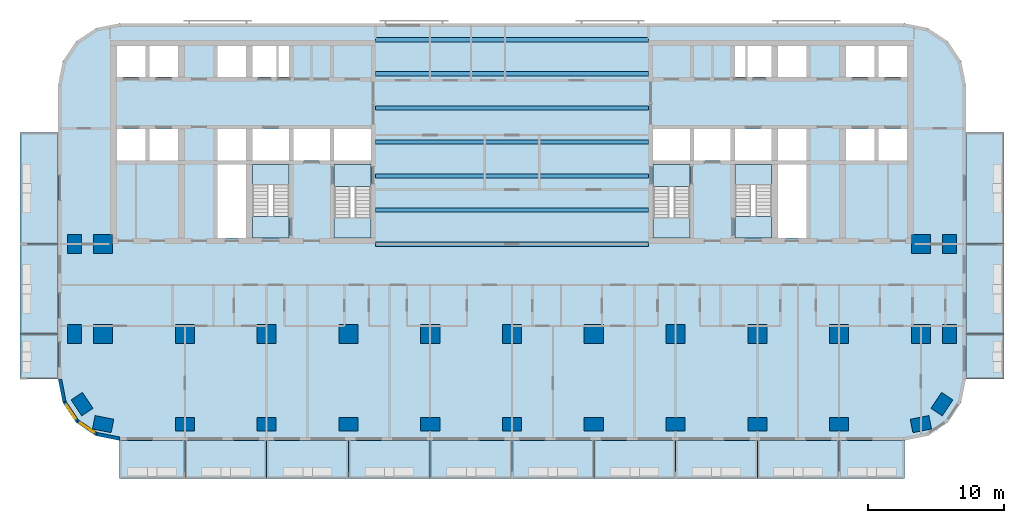
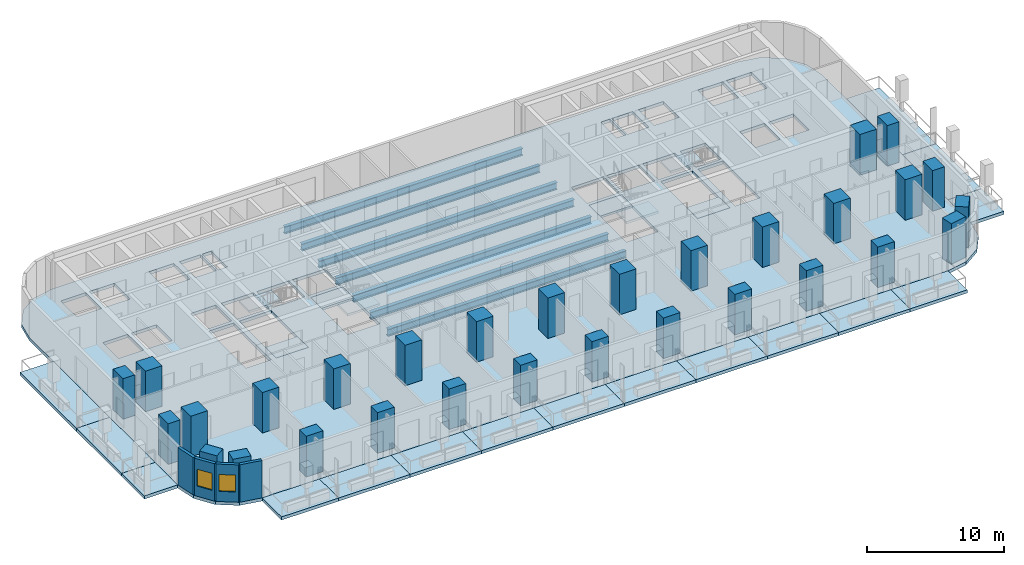
# One storey, part 1 of 14: 30 columns, 25 slabs, 7 beams, 4 walls, 2 windows, 2 openings, 4 elements without a shape of their own.
"""IFC4 building model written with IfcOpenShell, lengths in metres."""

from ifc_helpers import new_model, si_unit, direction, frame, frame_2d, origin, origin_2d, place, context, subcontext, project, spatial, polyline, rectangle, i_section, outline, extrude, material, layer, layer_set, material_profile, profile_set, type_object, element, fill, aggregate, save


model = new_model("IFC4")

# Units and contexts
model_context = context("Model", 3, precision=1e-05, world=origin(), true_north=direction((0.0, 1.0)))
body_context = subcontext(model_context, "Body", "Model", "MODEL_VIEW")
ifc_project = project(units=[si_unit("LENGTHUNIT", "METRE"), si_unit("AREAUNIT", "SQUARE_METRE"), si_unit("VOLUMEUNIT", "CUBIC_METRE"), si_unit("PLANEANGLEUNIT", "RADIAN"), si_unit("MASSUNIT", "GRAM", prefix="KILO")], contexts=[model_context])

# Site, building, storey
site_placement = place(None, origin())
site = spatial("IfcSite", under=ifc_project, at=site_placement, CompositionType="ELEMENT")
building_placement = place(site_placement, origin())
building = spatial("IfcBuilding", under=site, at=building_placement, Name="Torana Hotel and Residences", CompositionType="ELEMENT")
storey_placement = place(building_placement, frame((0.0, 0.0, 74.39990234375)))
storey = spatial("IfcBuildingStorey", under=building, at=storey_placement, Name="L18", CompositionType="ELEMENT", Elevation=74.39990234375)

# Columns
ifc_material_1 = material(Name="Concrete C70/85", Category="concrete")
ifc_material_profile_1 = material_profile(ifc_material_1, rectangle(XDim=1.39990234375, YDim=1.0, at=origin_2d()), Name="RC 1400x1000")
ifc_profile_set_1 = profile_set([ifc_material_profile_1], Name="Concrete C70/85")
column_type_1 = type_object("IfcColumnType", Name="COLUMN RC 1400x1000 C70/85", PredefinedType="COLUMN", material=ifc_profile_set_1)
for number, where, z_axis, x_axis, name in (
    (1, (-32.10009765625, -21.60009765625, 0.0), (0.0, 0.0, 1.0), (0.0, 1.0, 0.0), "Column L18"),
    (2, (-32.10009765625, -15.0, 0.0), (0.0, 0.0, 1.0), (0.0, 1.0, 0.0), "Column L18"),
    (3, (-31.5439453125, -26.73291015625, 0.0), (0.0, 0.0, 1.0), (-0.555584744817, 0.831459915646, 0.0), "Column L18"),
    (4, (-30.0, -28.199951171875, 0.0), (0.0, 0.0, 1.0), (-0.980792089743, 0.195056086032, 0.0), "Column L18"),
    (5, (-24.0, -28.199951171875, 0.0), (0.0, 0.0, 1.0), (1.0, 0.0, 0.0), "Column L18"),
    (6, (-18.0, -28.199951171875, 0.0), (0.0, 0.0, 1.0), (1.0, 0.0, 0.0), "Column L18"),
    (7, (-12.0, -28.199951171875, 0.0), (0.0, 0.0, 1.0), (1.0, 0.0, 0.0), "Column L18"),
    (8, (-6.0, -28.199951171875, 0.0), (0.0, 0.0, 1.0), (1.0, 0.0, 0.0), "Column L18"),
    (9, (0.0, -28.199951171875, 0.0), (0.0, 0.0, 1.0), (1.0, 0.0, 0.0), "Column L18"),
    (10, (6.0, -28.199951171875, 0.0), (0.0, 0.0, 1.0), (1.0, 0.0, 0.0), "Column L18"),
    (11, (12.0, -28.199951171875, 0.0), (0.0, 0.0, 1.0), (1.0, 0.0, 0.0), "Column L18"),
    (12, (18.0, -28.199951171875, 0.0), (0.0, 0.0, 1.0), (1.0, 0.0, 0.0), "Column L18"),
    (13, (24.0, -28.199951171875, 0.0), (0.0, 0.0, 1.0), (1.0, 0.0, 0.0), "Column L18"),
    (14, (30.0, -28.199951171875, 0.0), (0.0, 0.0, 1.0), (0.980792089743, 0.195056086032, 0.0), "Column L18"),
    (15, (31.5439453125, -26.73291015625, 0.0), (0.0, 0.0, 1.0), (0.555584744817, 0.831459915646, 0.0), "Column L18"),
    (16, (32.10009765625, -21.60009765625, 0.0), (0.0, 0.0, 1.0), (0.0, 1.0, 0.0), "Column L18"),
    (17, (32.10009765625, -15.0, 0.0), (0.0, 0.0, 1.0), (0.0, 1.0, 0.0), "Column L18"),
):
    element("IfcColumn", number, at=place(storey_placement, frame(where, z_axis=z_axis, x_axis=x_axis)), inside=storey, type_object=column_type_1, Name=name, PredefinedType="COLUMN", context=body_context, shape_type="SweptSolid", body=[
        extrude(rectangle(XDim=1.39990234375, YDim=1.0, at=origin_2d()), origin(), (0.0, 0.0, 1.0), 3.60009765625),
    ])
ifc_material_2 = material(Name="Concrete C70/85", Category="concrete")
ifc_material_profile_2 = material_profile(ifc_material_2, rectangle(XDim=1.39990234375, YDim=1.39990234375, at=origin_2d()), Name="RC 1400x1400")
ifc_profile_set_2 = profile_set([ifc_material_profile_2], Name="Concrete C70/85")
column_type_2 = type_object("IfcColumnType", Name="COLUMN RC 1400x1400 C70/85", PredefinedType="COLUMN", material=ifc_profile_set_2)
for number, where, z_axis, x_axis, name in (
    (18, (-30.0, -21.60009765625, 0.0), (0.0, 0.0, 1.0), (1.0, 0.0, 0.0), "Column L18"),
    (19, (-30.0, -15.0, 0.0), (0.0, 0.0, 1.0), (1.0, 0.0, 0.0), "Column L18"),
    (20, (-24.0, -21.60009765625, 0.0), (0.0, 0.0, 1.0), (1.0, 0.0, 0.0), "Column L18"),
    (21, (-18.0, -21.60009765625, 0.0), (0.0, 0.0, 1.0), (1.0, 0.0, 0.0), "Column L18"),
    (22, (-12.0, -21.60009765625, 0.0), (0.0, 0.0, 1.0), (1.0, 0.0, 0.0), "Column L18"),
    (23, (-6.0, -21.60009765625, 0.0), (0.0, 0.0, 1.0), (1.0, 0.0, 0.0), "Column L18"),
    (24, (0.0, -21.60009765625, 0.0), (0.0, 0.0, 1.0), (1.0, 0.0, 0.0), "Column L18"),
    (25, (6.0, -21.60009765625, 0.0), (0.0, 0.0, 1.0), (1.0, 0.0, 0.0), "Column L18"),
    (26, (12.0, -21.60009765625, 0.0), (0.0, 0.0, 1.0), (1.0, 0.0, 0.0), "Column L18"),
    (27, (18.0, -21.60009765625, 0.0), (0.0, 0.0, 1.0), (1.0, 0.0, 0.0), "Column L18"),
    (28, (24.0, -21.60009765625, 0.0), (0.0, 0.0, 1.0), (1.0, 0.0, 0.0), "Column L18"),
    (29, (30.0, -21.60009765625, 0.0), (0.0, 0.0, 1.0), (1.0, 0.0, 0.0), "Column L18"),
    (30, (30.0, -15.0, 0.0), (0.0, 0.0, 1.0), (1.0, 0.0, 0.0), "Column L18"),
):
    element("IfcColumn", number, at=place(storey_placement, frame(where, z_axis=z_axis, x_axis=x_axis)), inside=storey, type_object=column_type_2, Name=name, PredefinedType="COLUMN", context=body_context, shape_type="SweptSolid", body=[
        extrude(rectangle(XDim=1.39990234375, YDim=1.39990234375, at=origin_2d()), origin(), (0.0, 0.0, 1.0), 3.60009765625),
    ])

# Beams
ifc_material_3 = material(Name="Steel S355", Category="steel")
ifc_material_profile_3 = material_profile(ifc_material_3, i_section(OverallWidth=0.311279296875, OverallDepth=0.6357421875, WebThickness=0.018310546875, FlangeThickness=0.031494140625, FilletRadius=0.0166015625, at=origin_2d()), Name="610x305x238 UB")
ifc_profile_set_3 = profile_set([ifc_material_profile_3], Name="Steel S355")
beam_type = type_object("IfcBeamType", Name="STEEL GIRDER 610x305x238 UB", PredefinedType="BEAM", material=ifc_profile_set_3)
for number, where, z_axis, x_axis, name in (
    (31, (-10.0, -15.0, -0.597900390625), (1.0, 0.0, 0.0), (0.0, 1.0, 0.0), "Floor girder"),
    (32, (-10.0, -12.5, -0.597900390625), (1.0, 0.0, 0.0), (0.0, 1.0, 0.0), "Floor girder"),
    (33, (-10.0, -10.0, -0.597900390625), (1.0, 0.0, 0.0), (0.0, 1.0, 0.0), "Floor girder"),
    (34, (-10.0, -7.5, -0.597900390625), (1.0, 0.0, 0.0), (0.0, 1.0, 0.0), "Floor girder"),
    (35, (-10.0, -5.0, -0.597900390625), (1.0, 0.0, 0.0), (0.0, 1.0, 0.0), "Floor girder"),
    (36, (-10.0, -2.5, -0.597900390625), (1.0, 0.0, 0.0), (0.0, 1.0, 0.0), "Floor girder"),
    (37, (-10.0, 0.0, -0.597900390625), (1.0, 0.0, 0.0), (0.0, 1.0, 0.0), "Floor girder"),
):
    element("IfcBeam", number, at=place(storey_placement, frame(where, z_axis=z_axis, x_axis=x_axis)), inside=storey, type_object=beam_type, Name=name, PredefinedType="BEAM", context=body_context, shape_type="SweptSolid", body=[
        extrude(i_section(OverallWidth=0.311279296875, OverallDepth=0.6357421875, WebThickness=0.018310546875, FlangeThickness=0.031494140625, FilletRadius=0.0166015625, at=origin_2d()), origin(), (0.0, 0.0, 1.0), 20.0),
    ])

# Slabs
ifc_material_4 = material(Name="Concrete C40/50", Category="concrete")
ifc_layer_1 = layer(ifc_material_4, 0.280029296875)
ifc_layer_set_1 = layer_set([ifc_layer_1], Name="BAL1 BALCONY SLAB 280")
slab_type_1 = type_object("IfcSlabType", Name="BAL1 BALCONY SLAB 280", PredefinedType="USERDEFINED", material=ifc_layer_set_1)
slab_1_placement = place(storey_placement, frame((0.0, 0.0, -0.27978515625)))
element("IfcSlab", 38, at=slab_1_placement, inside=storey, type_object=slab_type_1, Name="Balcony 01", ObjectType="BALCONY", PredefinedType="USERDEFINED", context=body_context, shape_type="SweptSolid", body=[
    extrude(outline(polyline([(-28.800048828125, -32.199951171875), (-24.0, -32.199951171875), (-24.0, -29.39990234375), (-28.800048828125, -29.39990234375), (-28.800048828125, -32.199951171875)])), origin(), (0.0, 0.0, 1.0), 0.27978515625),
])
slab_2_placement = place(storey_placement, frame((0.0, 0.0, -0.27978515625)))
element("IfcSlab", 39, at=slab_2_placement, inside=storey, type_object=slab_type_1, Name="Balcony 02", ObjectType="BALCONY", PredefinedType="USERDEFINED", context=body_context, shape_type="SweptSolid", body=[
    extrude(outline(polyline([(-24.0, -32.199951171875), (-18.0, -32.199951171875), (-18.0, -29.39990234375), (-24.0, -29.39990234375), (-24.0, -32.199951171875)])), origin(), (0.0, 0.0, 1.0), 0.27978515625),
])
slab_3_placement = place(storey_placement, frame((0.0, 0.0, -0.27978515625)))
element("IfcSlab", 40, at=slab_3_placement, inside=storey, type_object=slab_type_1, Name="Balcony 03", ObjectType="BALCONY", PredefinedType="USERDEFINED", context=body_context, shape_type="SweptSolid", body=[
    extrude(outline(polyline([(-18.0, -32.199951171875), (-12.0, -32.199951171875), (-12.0, -29.39990234375), (-18.0, -29.39990234375), (-18.0, -32.199951171875)])), origin(), (0.0, 0.0, 1.0), 0.27978515625),
])
slab_4_placement = place(storey_placement, frame((0.0, 0.0, -0.27978515625)))
element("IfcSlab", 41, at=slab_4_placement, inside=storey, type_object=slab_type_1, Name="Balcony 04", ObjectType="BALCONY", PredefinedType="USERDEFINED", context=body_context, shape_type="SweptSolid", body=[
    extrude(outline(polyline([(-12.0, -32.199951171875), (-6.0, -32.199951171875), (-6.0, -29.39990234375), (-12.0, -29.39990234375), (-12.0, -32.199951171875)])), origin(), (0.0, 0.0, 1.0), 0.27978515625),
])
slab_5_placement = place(storey_placement, frame((0.0, 0.0, -0.27978515625)))
element("IfcSlab", 42, at=slab_5_placement, inside=storey, type_object=slab_type_1, Name="Balcony 05", ObjectType="BALCONY", PredefinedType="USERDEFINED", context=body_context, shape_type="SweptSolid", body=[
    extrude(outline(polyline([(-6.0, -32.199951171875), (0.0, -32.199951171875), (0.0, -29.39990234375), (-6.0, -29.39990234375), (-6.0, -32.199951171875)])), origin(), (0.0, 0.0, 1.0), 0.27978515625),
])
slab_6_placement = place(storey_placement, frame((0.0, 0.0, -0.27978515625)))
element("IfcSlab", 43, at=slab_6_placement, inside=storey, type_object=slab_type_1, Name="Balcony 06", ObjectType="BALCONY", PredefinedType="USERDEFINED", context=body_context, shape_type="SweptSolid", body=[
    extrude(outline(polyline([(0.0, -32.199951171875), (6.0, -32.199951171875), (6.0, -29.39990234375), (0.0, -29.39990234375), (0.0, -32.199951171875)])), origin(), (0.0, 0.0, 1.0), 0.27978515625),
])
slab_7_placement = place(storey_placement, frame((0.0, 0.0, -0.27978515625)))
element("IfcSlab", 44, at=slab_7_placement, inside=storey, type_object=slab_type_1, Name="Balcony 07", ObjectType="BALCONY", PredefinedType="USERDEFINED", context=body_context, shape_type="SweptSolid", body=[
    extrude(outline(polyline([(6.0, -32.199951171875), (12.0, -32.199951171875), (12.0, -29.39990234375), (6.0, -29.39990234375), (6.0, -32.199951171875)])), origin(), (0.0, 0.0, 1.0), 0.27978515625),
])
slab_8_placement = place(storey_placement, frame((0.0, 0.0, -0.27978515625)))
element("IfcSlab", 45, at=slab_8_placement, inside=storey, type_object=slab_type_1, Name="Balcony 08", ObjectType="BALCONY", PredefinedType="USERDEFINED", context=body_context, shape_type="SweptSolid", body=[
    extrude(outline(polyline([(12.0, -32.199951171875), (18.0, -32.199951171875), (18.0, -29.39990234375), (12.0, -29.39990234375), (12.0, -32.199951171875)])), origin(), (0.0, 0.0, 1.0), 0.27978515625),
])
slab_9_placement = place(storey_placement, frame((0.0, 0.0, -0.27978515625)))
element("IfcSlab", 46, at=slab_9_placement, inside=storey, type_object=slab_type_1, Name="Balcony 09", ObjectType="BALCONY", PredefinedType="USERDEFINED", context=body_context, shape_type="SweptSolid", body=[
    extrude(outline(polyline([(18.0, -32.199951171875), (24.0, -32.199951171875), (24.0, -29.39990234375), (18.0, -29.39990234375), (18.0, -32.199951171875)])), origin(), (0.0, 0.0, 1.0), 0.27978515625),
])
slab_10_placement = place(storey_placement, frame((0.0, 0.0, -0.27978515625)))
element("IfcSlab", 47, at=slab_10_placement, inside=storey, type_object=slab_type_1, Name="Balcony 10", ObjectType="BALCONY", PredefinedType="USERDEFINED", context=body_context, shape_type="SweptSolid", body=[
    extrude(outline(polyline([(24.0, -32.199951171875), (28.800048828125, -32.199951171875), (28.800048828125, -29.39990234375), (24.0, -29.39990234375), (24.0, -32.199951171875)])), origin(), (0.0, 0.0, 1.0), 0.27978515625),
])
slab_11_placement = place(storey_placement, frame((0.0, 0.0, -0.27978515625)))
element("IfcSlab", 48, at=slab_11_placement, inside=storey, type_object=slab_type_1, Name="Balcony 11", ObjectType="BALCONY", PredefinedType="USERDEFINED", context=body_context, shape_type="SweptSolid", body=[
    extrude(outline(polyline([(-36.10009765625, -24.89990234375), (-33.300048828125, -24.89990234375), (-33.300048828125, -21.60009765625), (-36.10009765625, -21.60009765625), (-36.10009765625, -24.89990234375)])), origin(), (0.0, 0.0, 1.0), 0.27978515625),
])
slab_12_placement = place(storey_placement, frame((0.0, 0.0, -0.27978515625)))
element("IfcSlab", 49, at=slab_12_placement, inside=storey, type_object=slab_type_1, Name="Balcony 12", ObjectType="BALCONY", PredefinedType="USERDEFINED", context=body_context, shape_type="SweptSolid", body=[
    extrude(outline(polyline([(-36.10009765625, -21.60009765625), (-33.300048828125, -21.60009765625), (-33.300048828125, -15.0), (-36.10009765625, -15.0), (-36.10009765625, -21.60009765625)])), origin(), (0.0, 0.0, 1.0), 0.27978515625),
])
slab_13_placement = place(storey_placement, frame((0.0, 0.0, -0.27978515625)))
element("IfcSlab", 50, at=slab_13_placement, inside=storey, type_object=slab_type_1, Name="Balcony 13", ObjectType="BALCONY", PredefinedType="USERDEFINED", context=body_context, shape_type="SweptSolid", body=[
    extrude(outline(polyline([(-36.10009765625, -15.0), (-33.300048828125, -15.0), (-33.300048828125, -6.800048828125), (-36.10009765625, -6.800048828125), (-36.10009765625, -15.0)])), origin(), (0.0, 0.0, 1.0), 0.27978515625),
])
slab_14_placement = place(storey_placement, frame((0.0, 0.0, -0.27978515625)))
element("IfcSlab", 51, at=slab_14_placement, inside=storey, type_object=slab_type_1, Name="Balcony 14", ObjectType="BALCONY", PredefinedType="USERDEFINED", context=body_context, shape_type="SweptSolid", body=[
    extrude(outline(polyline([(33.300048828125, -24.89990234375), (36.10009765625, -24.89990234375), (36.10009765625, -21.60009765625), (33.300048828125, -21.60009765625), (33.300048828125, -24.89990234375)])), origin(), (0.0, 0.0, 1.0), 0.27978515625),
])
slab_15_placement = place(storey_placement, frame((0.0, 0.0, -0.27978515625)))
element("IfcSlab", 52, at=slab_15_placement, inside=storey, type_object=slab_type_1, Name="Balcony 15", ObjectType="BALCONY", PredefinedType="USERDEFINED", context=body_context, shape_type="SweptSolid", body=[
    extrude(outline(polyline([(33.300048828125, -21.60009765625), (36.10009765625, -21.60009765625), (36.10009765625, -15.0), (33.300048828125, -15.0), (33.300048828125, -21.60009765625)])), origin(), (0.0, 0.0, 1.0), 0.27978515625),
])
slab_16_placement = place(storey_placement, frame((0.0, 0.0, -0.27978515625)))
element("IfcSlab", 53, at=slab_16_placement, inside=storey, type_object=slab_type_1, Name="Balcony 16", ObjectType="BALCONY", PredefinedType="USERDEFINED", context=body_context, shape_type="SweptSolid", body=[
    extrude(outline(polyline([(33.300048828125, -15.0), (36.10009765625, -15.0), (36.10009765625, -6.800048828125), (33.300048828125, -6.800048828125), (33.300048828125, -15.0)])), origin(), (0.0, 0.0, 1.0), 0.27978515625),
])
ifc_material_5 = material(Name="Concrete C40/50", Category="concrete")
ifc_layer_2 = layer(ifc_material_5, 0.280029296875)
ifc_layer_set_2 = layer_set([ifc_layer_2], Name="FLOOR SLAB PT 280")
slab_type_2 = type_object("IfcSlabType", Name="FLOOR SLAB PT 280", PredefinedType="FLOOR", material=ifc_layer_set_2)
slab_17_placement = place(storey_placement, frame((0.0, 0.0, -0.27978515625)))
element("IfcSlab", 54, at=slab_17_placement, inside=storey, type_object=slab_type_2, Name="Floor slab", PredefinedType="FLOOR", context=body_context, shape_type="SweptSolid", body=[
    extrude(outline(polyline([(33.300048828125, -3.300048828125), (32.95751953125, -1.577880859375), (31.98193359375, -0.117919921875), (30.522216796875, 0.857421875), (28.800048828125, 1.199951171875), (-28.800048828125, 1.199951171875), (-30.522216796875, 0.857421875), (-31.98193359375, -0.117919921875), (-32.95751953125, -1.577880859375), (-33.300048828125, -3.300048828125), (-33.300048828125, -24.89990234375), (-32.95751953125, -26.6220703125), (-31.98193359375, -28.08203125), (-30.522216796875, -29.0576171875), (-28.800048828125, -29.39990234375), (28.800048828125, -29.39990234375), (30.522216796875, -29.0576171875), (31.98193359375, -28.08203125), (32.95751953125, -26.6220703125), (33.300048828125, -24.89990234375), (33.300048828125, -3.300048828125)]), holes=[polyline([(-13.050048828125, -14.550048828125), (-10.35009765625, -14.550048828125), (-10.35009765625, -9.14990234375), (-13.050048828125, -9.14990234375), (-13.050048828125, -14.550048828125)]), polyline([(-19.050048828125, -14.550048828125), (-16.35009765625, -14.550048828125), (-16.35009765625, -9.14990234375), (-19.050048828125, -9.14990234375), (-19.050048828125, -14.550048828125)]), polyline([(-17.125, -2.75), (-16.35009765625, -2.75), (-16.35009765625, -0.449951171875), (-17.125, -0.449951171875), (-17.125, -2.75)]), polyline([(-19.050048828125, -2.75), (-17.27490234375, -2.75), (-17.27490234375, -0.449951171875), (-19.050048828125, -0.449951171875), (-19.050048828125, -2.75)]), polyline([(-26.60009765625, -2.75), (-24.5, -2.75), (-24.5, -0.449951171875), (-26.60009765625, -0.449951171875), (-26.60009765625, -2.75)]), polyline([(-29.0, -2.75), (-26.89990234375, -2.75), (-26.89990234375, -0.449951171875), (-29.0, -0.449951171875), (-29.0, -2.75)]), polyline([(-26.60009765625, -8.85009765625), (-24.5, -8.85009765625), (-24.5, -6.550048828125), (-26.60009765625, -6.550048828125), (-26.60009765625, -8.85009765625)]), polyline([(-29.0, -8.85009765625), (-26.89990234375, -8.85009765625), (-26.89990234375, -6.550048828125), (-29.0, -6.550048828125), (-29.0, -8.85009765625)]), polyline([(-21.60009765625, -2.75), (-19.5, -2.75), (-19.5, -0.449951171875), (-21.60009765625, -0.449951171875), (-21.60009765625, -2.75)]), polyline([(-21.60009765625, -8.85009765625), (-19.5, -8.85009765625), (-19.5, -6.550048828125), (-21.60009765625, -6.550048828125), (-21.60009765625, -8.85009765625)]), polyline([(-13.050048828125, -8.85009765625), (-10.35009765625, -8.85009765625), (-10.35009765625, -6.550048828125), (-13.050048828125, -6.550048828125), (-13.050048828125, -8.85009765625)]), polyline([(-16.050048828125, -8.85009765625), (-13.35009765625, -8.85009765625), (-13.35009765625, -6.550048828125), (-16.050048828125, -6.550048828125), (-16.050048828125, -8.85009765625)]), polyline([(-19.050048828125, -8.85009765625), (-16.35009765625, -8.85009765625), (-16.35009765625, -6.550048828125), (-19.050048828125, -6.550048828125), (-19.050048828125, -8.85009765625)]), polyline([(-21.60009765625, -14.550048828125), (-19.5, -14.550048828125), (-19.5, -9.14990234375), (-21.60009765625, -9.14990234375), (-21.60009765625, -14.550048828125)]), polyline([(10.35009765625, -14.550048828125), (13.050048828125, -14.550048828125), (13.050048828125, -9.14990234375), (10.35009765625, -9.14990234375), (10.35009765625, -14.550048828125)]), polyline([(16.35009765625, -14.550048828125), (19.050048828125, -14.550048828125), (19.050048828125, -9.14990234375), (16.35009765625, -9.14990234375), (16.35009765625, -14.550048828125)]), polyline([(16.35009765625, -2.75), (17.125, -2.75), (17.125, -0.449951171875), (16.35009765625, -0.449951171875), (16.35009765625, -2.75)]), polyline([(17.27490234375, -2.75), (19.050048828125, -2.75), (19.050048828125, -0.449951171875), (17.27490234375, -0.449951171875), (17.27490234375, -2.75)]), polyline([(24.5, -2.75), (26.60009765625, -2.75), (26.60009765625, -0.449951171875), (24.5, -0.449951171875), (24.5, -2.75)]), polyline([(26.89990234375, -2.75), (29.0, -2.75), (29.0, -0.449951171875), (26.89990234375, -0.449951171875), (26.89990234375, -2.75)]), polyline([(24.5, -8.85009765625), (26.60009765625, -8.85009765625), (26.60009765625, -6.550048828125), (24.5, -6.550048828125), (24.5, -8.85009765625)]), polyline([(26.89990234375, -8.85009765625), (29.0, -8.85009765625), (29.0, -6.550048828125), (26.89990234375, -6.550048828125), (26.89990234375, -8.85009765625)]), polyline([(19.5, -2.75), (21.60009765625, -2.75), (21.60009765625, -0.449951171875), (19.5, -0.449951171875), (19.5, -2.75)]), polyline([(19.5, -8.85009765625), (21.60009765625, -8.85009765625), (21.60009765625, -6.550048828125), (19.5, -6.550048828125), (19.5, -8.85009765625)]), polyline([(10.35009765625, -8.85009765625), (13.050048828125, -8.85009765625), (13.050048828125, -6.550048828125), (10.35009765625, -6.550048828125), (10.35009765625, -8.85009765625)]), polyline([(13.35009765625, -8.85009765625), (16.050048828125, -8.85009765625), (16.050048828125, -6.550048828125), (13.35009765625, -6.550048828125), (13.35009765625, -8.85009765625)]), polyline([(16.35009765625, -8.85009765625), (19.050048828125, -8.85009765625), (19.050048828125, -6.550048828125), (16.35009765625, -6.550048828125), (16.35009765625, -8.85009765625)]), polyline([(19.5, -14.550048828125), (21.60009765625, -14.550048828125), (21.60009765625, -9.14990234375), (19.5, -9.14990234375), (19.5, -14.550048828125)])]), origin(), (0.0, 0.0, 1.0), 0.27978515625),
])

# Stair, slabs
ifc_material_6 = material(Name="Concrete C40/50 precast", Category="concrete")
stair_type_1 = type_object("IfcStairType", Name="STAIR ST1 HALF TURN 1200", PredefinedType="HALF_TURN_STAIR", material=ifc_material_6)
stair_1_placement = place(storey_placement, origin())
stair_1 = element("IfcStair", 55, at=stair_1_placement, inside=storey, type_object=stair_type_1, Name="Stair ST1 L18", PredefinedType="HALF_TURN_STAIR")
ifc_material_7 = material(Name="Concrete C40/50 precast", Category="concrete")
ifc_layer_3 = layer(ifc_material_7, 0.199951171875)
ifc_layer_set_3 = layer_set([ifc_layer_3], Name="STAIR LANDING 200")
slab_type_3 = type_object("IfcSlabType", Name="STAIR LANDING 200", PredefinedType="LANDING", material=ifc_layer_set_3)
slab_18_placement = place(storey_placement, frame((0.0, 0.0, 1.60009765625)))
slab_18 = element("IfcSlab", 56, at=slab_18_placement, type_object=slab_type_3, Name="ST1 landing 1", PredefinedType="LANDING", context=body_context, shape_type="SweptSolid", body=[
    extrude(outline(polyline([(-13.050048828125, -14.550048828125), (-10.35009765625, -14.550048828125), (-10.35009765625, -13.090087890625), (-13.050048828125, -13.090087890625), (-13.050048828125, -14.550048828125)])), origin(), (0.0, 0.0, 1.0), 0.199951171875),
])
slab_19_placement = place(storey_placement, frame((0.0, 0.0, -0.199951171875)))
slab_19 = element("IfcSlab", 57, at=slab_19_placement, type_object=slab_type_3, Name="ST1 landing 2", PredefinedType="LANDING", context=body_context, shape_type="SweptSolid", body=[
    extrude(outline(polyline([(-13.050048828125, -10.75), (-10.35009765625, -10.75), (-10.35009765625, -9.14990234375), (-13.050048828125, -9.14990234375), (-13.050048828125, -10.75)])), origin(), (0.0, 0.0, 1.0), 0.199951171875),
])
aggregate(stair_1, [slab_18, slab_19])

ifc_material_8 = material(Name="Concrete C40/50 precast", Category="concrete")
stair_type_2 = type_object("IfcStairType", Name="STAIR ST2 HALF TURN 1200", PredefinedType="HALF_TURN_STAIR", material=ifc_material_8)
stair_2_placement = place(storey_placement, origin())
stair_2 = element("IfcStair", 58, at=stair_2_placement, inside=storey, type_object=stair_type_2, Name="Stair ST2 L18", PredefinedType="HALF_TURN_STAIR")
slab_20_placement = place(storey_placement, frame((0.0, 0.0, 1.60009765625)))
slab_20 = element("IfcSlab", 59, at=slab_20_placement, type_object=slab_type_3, Name="ST2 landing 1", PredefinedType="LANDING", context=body_context, shape_type="SweptSolid", body=[
    extrude(outline(polyline([(-19.050048828125, -10.610107421875), (-16.35009765625, -10.610107421875), (-16.35009765625, -9.14990234375), (-19.050048828125, -9.14990234375), (-19.050048828125, -10.610107421875)])), origin(), (0.0, 0.0, 1.0), 0.199951171875),
])
slab_21_placement = place(storey_placement, frame((0.0, 0.0, -0.199951171875)))
slab_21 = element("IfcSlab", 60, at=slab_21_placement, type_object=slab_type_3, Name="ST2 landing 2", PredefinedType="LANDING", context=body_context, shape_type="SweptSolid", body=[
    extrude(outline(polyline([(-19.050048828125, -14.550048828125), (-16.35009765625, -14.550048828125), (-16.35009765625, -12.949951171875), (-19.050048828125, -12.949951171875), (-19.050048828125, -14.550048828125)])), origin(), (0.0, 0.0, 1.0), 0.199951171875),
])
aggregate(stair_2, [slab_20, slab_21])

ifc_material_9 = material(Name="Concrete C40/50 precast", Category="concrete")
stair_type_3 = type_object("IfcStairType", Name="STAIR ST3 HALF TURN 1200", PredefinedType="HALF_TURN_STAIR", material=ifc_material_9)
stair_3_placement = place(storey_placement, origin())
stair_3 = element("IfcStair", 61, at=stair_3_placement, inside=storey, type_object=stair_type_3, Name="Stair ST3 L18", PredefinedType="HALF_TURN_STAIR")
slab_22_placement = place(storey_placement, frame((0.0, 0.0, 1.60009765625)))
slab_22 = element("IfcSlab", 62, at=slab_22_placement, type_object=slab_type_3, Name="ST3 landing 1", PredefinedType="LANDING", context=body_context, shape_type="SweptSolid", body=[
    extrude(outline(polyline([(10.35009765625, -14.550048828125), (13.050048828125, -14.550048828125), (13.050048828125, -13.090087890625), (10.35009765625, -13.090087890625), (10.35009765625, -14.550048828125)])), origin(), (0.0, 0.0, 1.0), 0.199951171875),
])
slab_23_placement = place(storey_placement, frame((0.0, 0.0, -0.199951171875)))
slab_23 = element("IfcSlab", 63, at=slab_23_placement, type_object=slab_type_3, Name="ST3 landing 2", PredefinedType="LANDING", context=body_context, shape_type="SweptSolid", body=[
    extrude(outline(polyline([(10.35009765625, -10.75), (13.050048828125, -10.75), (13.050048828125, -9.14990234375), (10.35009765625, -9.14990234375), (10.35009765625, -10.75)])), origin(), (0.0, 0.0, 1.0), 0.199951171875),
])
aggregate(stair_3, [slab_22, slab_23])

ifc_material_10 = material(Name="Concrete C40/50 precast", Category="concrete")
stair_type_4 = type_object("IfcStairType", Name="STAIR ST4 HALF TURN 1200", PredefinedType="HALF_TURN_STAIR", material=ifc_material_10)
stair_4_placement = place(storey_placement, origin())
stair_4 = element("IfcStair", 64, at=stair_4_placement, inside=storey, type_object=stair_type_4, Name="Stair ST4 L18", PredefinedType="HALF_TURN_STAIR")
slab_24_placement = place(storey_placement, frame((0.0, 0.0, 1.60009765625)))
slab_24 = element("IfcSlab", 65, at=slab_24_placement, type_object=slab_type_3, Name="ST4 landing 1", PredefinedType="LANDING", context=body_context, shape_type="SweptSolid", body=[
    extrude(outline(polyline([(16.35009765625, -10.610107421875), (19.050048828125, -10.610107421875), (19.050048828125, -9.14990234375), (16.35009765625, -9.14990234375), (16.35009765625, -10.610107421875)])), origin(), (0.0, 0.0, 1.0), 0.199951171875),
])
slab_25_placement = place(storey_placement, frame((0.0, 0.0, -0.199951171875)))
slab_25 = element("IfcSlab", 66, at=slab_25_placement, type_object=slab_type_3, Name="ST4 landing 2", PredefinedType="LANDING", context=body_context, shape_type="SweptSolid", body=[
    extrude(outline(polyline([(16.35009765625, -14.550048828125), (19.050048828125, -14.550048828125), (19.050048828125, -12.949951171875), (16.35009765625, -12.949951171875), (16.35009765625, -14.550048828125)])), origin(), (0.0, 0.0, 1.0), 0.199951171875),
])
aggregate(stair_4, [slab_24, slab_25])

# Wall
ifc_material_11 = material(Name="Black aluminium composite panel", Category="aluminium")
ifc_layer_4 = layer(ifc_material_11, 0.00390625, Name="Cladding", Category="cladding")
ifc_material_12 = material(Name="Ventilated air cavity")
ifc_layer_5 = layer(ifc_material_12, 0.0400390625, Name="Ventilated cavity", Category="cavity")
ifc_material_13 = material(Name="Mineral wool insulation")
ifc_layer_6 = layer(ifc_material_13, 0.090087890625, Name="Insulation", Category="insulation")
ifc_material_14 = material(Name="Steel S280GD", Category="steel")
ifc_layer_7 = layer(ifc_material_14, 0.092041015625, Name="Steel stud frame", Category="structure")
ifc_material_15 = material(Name="Fire rated plasterboard")
ifc_layer_8 = layer(ifc_material_15, 0.011962890625, Name="Inner board", Category="finish")
ifc_layer_9 = layer(ifc_material_15, 0.011962890625, Name="Second board", Category="finish")
ifc_layer_set_4 = layer_set([ifc_layer_4, ifc_layer_5, ifc_layer_6, ifc_layer_7, ifc_layer_8, ifc_layer_9], Name="EW1 EXTERNAL WALL BLACK METAL CLAD 250")
wall_type = type_object("IfcWallType", Name="EW1 EXTERNAL WALL BLACK METAL CLAD 250", PredefinedType="SOLIDWALL", material=ifc_layer_set_4)
wall_1_placement = place(storey_placement, frame((-33.172607421875, -24.89990234375, 0.0), z_axis=(0.0, 0.0, 1.0), x_axis=(0.195166572128, -0.980770110232, 0.0)))
element("IfcWall", 67, at=wall_1_placement, inside=storey, type_object=wall_type, Name="External wall L18 e0.10", PredefinedType="SOLIDWALL", context=body_context, shape_type="SweptSolid", body=[
    extrude(rectangle(XDim=1.68115234375, YDim=0.25, at=frame_2d((0.840576171875, 0.0))), origin(), (0.0, 0.0, 1.0), 3.320068359375),
])

# Wall, opening, window
wall_2_placement = place(storey_placement, frame((-32.825927734375, -26.593994140625, 0.0), z_axis=(0.0, 0.0, 1.0), x_axis=(0.55555029066, -0.831482937015, 0.0)))
wall_2 = element("IfcWall", 68, at=wall_2_placement, inside=storey, type_object=wall_type, Name="External wall L18 e0.11", PredefinedType="SOLIDWALL", context=body_context, shape_type="SweptSolid", body=[
    extrude(rectangle(XDim=1.65625, YDim=0.25, at=frame_2d((0.828125, 0.0))), origin(), (0.0, 0.0, 1.0), 3.320068359375),
])
opening_1_placement = place(wall_2_placement, frame((0.228271484375, 0.0, 0.89990234375)))
opening_1 = element("IfcOpeningElement", 69, at=opening_1_placement, cuts=wall_2, Name="Opening W5", PredefinedType="OPENING", context=body_context, shape_type="SweptSolid", body=[
    extrude(rectangle(XDim=1.199951171875, YDim=1.5, at=frame_2d((0.60009765625, 0.75))), frame((0.0, 0.135009765625, 0.0), z_axis=(0.0, -1.0, 0.0), x_axis=(1.0, 0.0, 0.0)), (0.0, 0.0, 1.0), 0.27001953125),
])
ifc_material_16 = material(Name="Dark glass in black aluminium frame", Category="aluminium")
window_type = type_object("IfcWindowType", Name="W5 CORNER FACET WINDOW 1200x1500", PartitioningType="SINGLE_PANEL", PredefinedType="WINDOW", material=ifc_material_16)
window_1_placement = place(opening_1_placement, origin())
window_1 = element("IfcWindow", 70, at=window_1_placement, inside=storey, type_object=window_type, Name="Window L18 e0.11", OverallHeight=1.5, OverallWidth=1.199951171875, PartitioningType="SINGLE_PANEL", PredefinedType="WINDOW", context=body_context, shape_type="SweptSolid", body=[
    extrude(rectangle(XDim=1.199951171875, YDim=1.5, at=frame_2d((0.60009765625, 0.75))), frame((0.0, 0.030029296875, 0.0), z_axis=(0.0, -1.0, 0.0), x_axis=(1.0, 0.0, 0.0)), (0.0, 0.0, 1.0), 0.06005859375),
])
fill(opening_1, window_1)

wall_3_placement = place(storey_placement, frame((-31.87109375, -28.005615234375, 0.0), z_axis=(0.0, 0.0, 1.0), x_axis=(0.831482937015, -0.55555029066, 0.0)))
wall_3 = element("IfcWall", 71, at=wall_3_placement, inside=storey, type_object=wall_type, Name="External wall L18 e0.12", PredefinedType="SOLIDWALL", context=body_context, shape_type="SweptSolid", body=[
    extrude(rectangle(XDim=1.65625, YDim=0.25, at=frame_2d((0.828125, 0.0))), origin(), (0.0, 0.0, 1.0), 3.320068359375),
])
opening_2_placement = place(wall_3_placement, frame((0.228271484375, 0.0, 0.89990234375)))
opening_2 = element("IfcOpeningElement", 72, at=opening_2_placement, cuts=wall_3, Name="Opening W5", PredefinedType="OPENING", context=body_context, shape_type="SweptSolid", body=[
    extrude(rectangle(XDim=1.199951171875, YDim=1.5, at=frame_2d((0.60009765625, 0.75))), frame((0.0, 0.135009765625, 0.0), z_axis=(0.0, -1.0, 0.0), x_axis=(1.0, 0.0, 0.0)), (0.0, 0.0, 1.0), 0.27001953125),
])
window_2_placement = place(opening_2_placement, origin())
window_2 = element("IfcWindow", 73, at=window_2_placement, inside=storey, type_object=window_type, Name="Window L18 e0.12", OverallHeight=1.5, OverallWidth=1.199951171875, PartitioningType="SINGLE_PANEL", PredefinedType="WINDOW", context=body_context, shape_type="SweptSolid", body=[
    extrude(rectangle(XDim=1.199951171875, YDim=1.5, at=frame_2d((0.60009765625, 0.75))), frame((0.0, 0.030029296875, 0.0), z_axis=(0.0, -1.0, 0.0), x_axis=(1.0, 0.0, 0.0)), (0.0, 0.0, 1.0), 0.06005859375),
])
fill(opening_2, window_2)

# Wall
wall_4_placement = place(storey_placement, frame((-30.448974609375, -28.944580078125, 0.0), z_axis=(0.0, 0.0, 1.0), x_axis=(0.980775640221, -0.19513878023, 0.0)))
element("IfcWall", 74, at=wall_4_placement, inside=storey, type_object=wall_type, Name="External wall L18 e0.13", PredefinedType="SOLIDWALL", context=body_context, shape_type="SweptSolid", body=[
    extrude(rectangle(XDim=1.681396484375, YDim=0.25, at=frame_2d((0.8408203125, 0.0))), origin(), (0.0, 0.0, 1.0), 3.320068359375),
])

save(model, "model.ifc")
